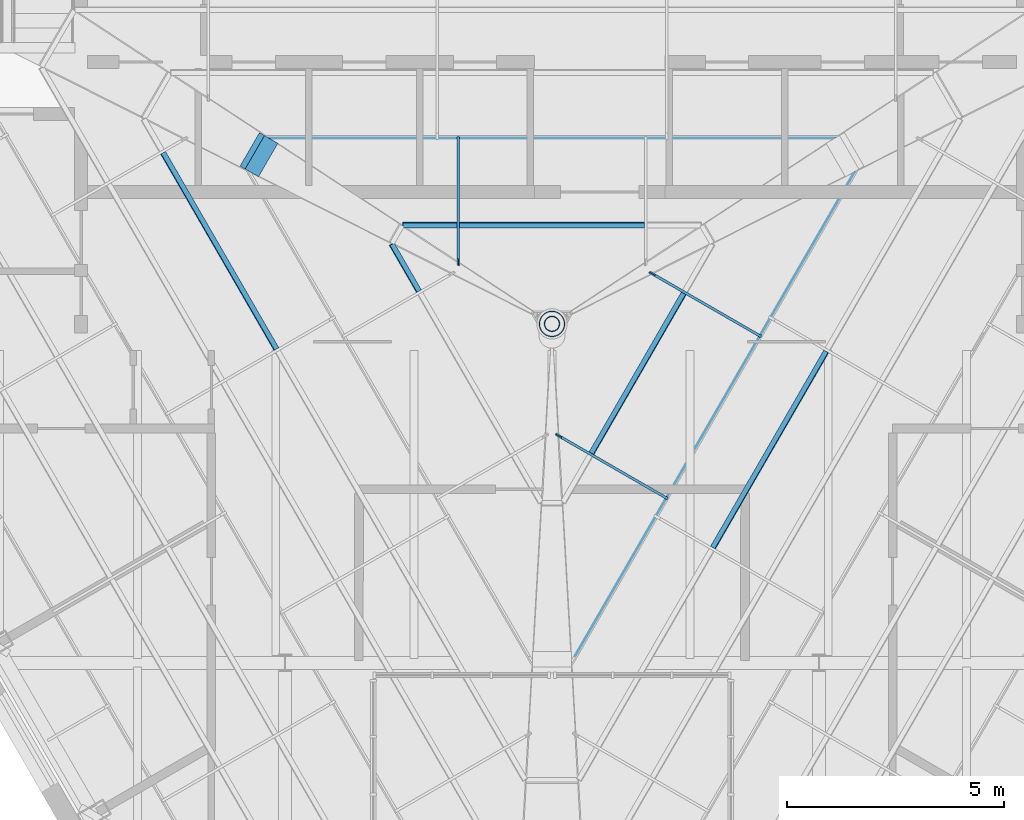
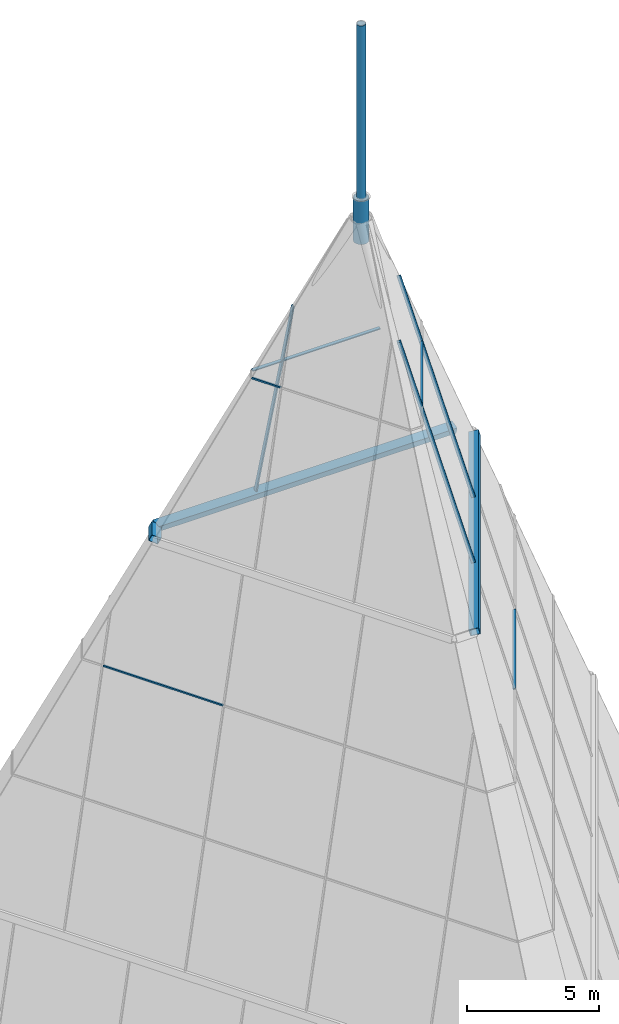
# One storey, part 19 of 36: 14 members, 7 elements without a shape of their own.
"""IFC4 building model written with IfcOpenShell, lengths in metres."""

from ifc_helpers import new_model, si_unit, direction, frame, origin, origin_2d, place, context, subcontext, project, spatial, rectangle, hollow_rectangle, hollow_circle, extrude, clip, halfspace, material, layer, layer_set, material_profile, profile_set, type_object, element, aggregate, save


model = new_model("IFC4")

# Units and contexts
model_context = context("Model", 3, precision=1e-05, world=origin(), true_north=direction((0.0, 1.0)))
body_context = subcontext(model_context, "Body", "Model", "MODEL_VIEW")
ifc_project = project(units=[si_unit("LENGTHUNIT", "METRE"), si_unit("AREAUNIT", "SQUARE_METRE"), si_unit("VOLUMEUNIT", "CUBIC_METRE"), si_unit("PLANEANGLEUNIT", "RADIAN"), si_unit("MASSUNIT", "GRAM", prefix="KILO")], contexts=[model_context])

# Site, building, storey
site_placement = place(None, origin())
site = spatial("IfcSite", under=ifc_project, at=site_placement, CompositionType="ELEMENT")
building_placement = place(site_placement, origin())
building = spatial("IfcBuilding", under=site, at=building_placement, Name="Njiva Tower", CompositionType="ELEMENT")
storey_placement = place(building_placement, frame((0.0, 0.0, 337.8)))
storey = spatial("IfcBuildingStorey", under=building, at=storey_placement, Name="L77", CompositionType="ELEMENT", Elevation=337.8)

# Curtain wall, member
ifc_material_1 = material(Name="Glazed curtain wall", Category="glass")
ifc_layer_1 = layer(ifc_material_1, 0.16)
ifc_layer_set_1 = layer_set([ifc_layer_1], Name="Glazed curtain wall")
curtain_wall_type_1 = type_object("IfcCurtainWallType", Name="CW2 Crown glazing, faceted point, long faces", PredefinedType="NOTDEFINED", material=ifc_layer_set_1)
curtain_wall_1_placement = place(storey_placement, origin())
curtain_wall_1 = element("IfcCurtainWall", 1, at=curtain_wall_1_placement, inside=storey, type_object=curtain_wall_type_1, Name="Crown glazing face N tier 4", PredefinedType="NOTDEFINED")
ifc_material_2 = material(Name="Aluminium mullion", Category="aluminium")
ifc_material_profile_1 = material_profile(ifc_material_2, rectangle(XDim=0.16, YDim=0.06, at=origin_2d()), Name="RECT 160x60")
ifc_profile_set_1 = profile_set([ifc_material_profile_1], Name="Aluminium mullion")
member_type_1 = type_object("IfcMemberType", Name="CW2-M Crown glazing mullion 160x60", PredefinedType="MULLION", material=ifc_profile_set_1)
member_1_placement = place(storey_placement, frame((-2.1563, 8.8561, 44.6446), z_axis=(0.0, -0.26643010552, 0.963854241508), x_axis=(0.0, 0.963854241508, 0.26643010552)))
member_1 = element("IfcMember", 2, at=member_1_placement, type_object=member_type_1, Name="CW2-14 mullion 2", PredefinedType="MULLION", context=body_context, shape_type="Clipping", body=[
    clip(clip(extrude(rectangle(XDim=0.16, YDim=0.06, at=origin_2d()), origin(), (0.0, 0.0, 1.0), 10.6208), halfspace(frame((0.08, 0.0, 0.0), z_axis=(-1.6824e-06, 0.0, -0.999999999999), x_axis=(0.0, -1.0, 0.0)), False)), halfspace(frame((0.08, 0.0, 10.6208), z_axis=(6.33082e-07, 0.926532402811, 0.376214973839), x_axis=(0.0, 0.37621497384, -0.926532402811)), False)),
])

# Curtain wall, members
curtain_wall_2_placement = place(storey_placement, origin())
curtain_wall_2 = element("IfcCurtainWall", 3, at=curtain_wall_2_placement, inside=storey, type_object=curtain_wall_type_1, Name="Crown glazing face SE tier 4", PredefinedType="NOTDEFINED")
member_2_placement = place(storey_placement, frame((2.5977, 0.6219, 44.6446), z_axis=(-0.230727175717, 0.133210695044, 0.963856774169), x_axis=(0.834723985154, -0.481929195754, 0.266420943037)))
member_2 = element("IfcMember", 4, at=member_2_placement, type_object=member_type_1, Name="CW2-54 mullion 1", PredefinedType="MULLION", context=body_context, shape_type="Clipping", body=[
    clip(clip(extrude(rectangle(XDim=0.16, YDim=0.06, at=origin_2d()), origin(), (0.0, 0.0, 1.0), 10.6208), halfspace(frame((0.08, 0.0, 0.0), z_axis=(7.823311e-06, 2.57894e-07, -0.999999999969), x_axis=(0.0, -1.0, -2.57894e-07)), False)), halfspace(frame((0.08, 0.0, 10.6208), z_axis=(-2.078321e-06, -0.926532499762, 0.376214735066), x_axis=(0.0, 0.376214735067, 0.926532499764)), False)),
])
member_3_placement = place(storey_placement, frame((4.754, 4.3567, 44.6446), z_axis=(-0.230736089967, 0.13321040565, 0.963854680236), x_axis=(0.834730687229, -0.481913399286, 0.266428518344)))
member_3 = element("IfcMember", 5, at=member_3_placement, type_object=member_type_1, Name="CW2-54 mullion 2", PredefinedType="MULLION", context=body_context, shape_type="Clipping", body=[
    clip(clip(extrude(rectangle(XDim=0.16, YDim=0.06, at=origin_2d()), origin(), (0.0, 0.0, 1.0), 10.6208), halfspace(frame((0.08, 0.0, 0.0), z_axis=(-3.6103e-08, -4.44986e-06, -0.99999999999), x_axis=(0.0, -0.99999999999, 4.44986e-06)), False)), halfspace(frame((0.08, 0.0, 10.6208), z_axis=(1.4927687e-05, 0.926534076595, 0.376210851367), x_axis=(0.0, 0.376210851409, -0.926534076698)), False)),
])

# Curtain wall, member
curtain_wall_3_placement = place(storey_placement, origin())
curtain_wall_3 = element("IfcCurtainWall", 6, at=curtain_wall_3_placement, inside=storey, type_object=curtain_wall_type_1, Name="Crown glazing face N tier 3", PredefinedType="NOTDEFINED")
ifc_material_3 = material(Name="Steel S355 J2H", Category="steel")
ifc_material_profile_2 = material_profile(ifc_material_3, hollow_rectangle(XDim=0.3, YDim=0.4, WallThickness=0.016, at=origin_2d()), Name="BOX 400x300x16")
ifc_profile_set_2 = profile_set([ifc_material_profile_2], Name="Steel S355 J2H")
member_type_2 = type_object("IfcMemberType", Name="CW2-R Crown glazing ring RHS 400x300x16", PredefinedType="USERDEFINED", material=ifc_profile_set_2)
member_4_placement = place(storey_placement, frame((6.5297, 8.896, 44.5), z_axis=(-1.0, 0.0, 0.0), x_axis=(0.0, -0.266428483965, 0.963854689739)))
member_4 = element("IfcMember", 7, at=member_4_placement, type_object=member_type_2, Name="Crown glazing ring", ObjectType="RING", PredefinedType="USERDEFINED", context=body_context, shape_type="SweptSolid", body=[
    extrude(hollow_rectangle(XDim=0.3, YDim=0.4, WallThickness=0.016, at=origin_2d()), origin(), (0.0, 0.0, 1.0), 13.0594),
])
aggregate(curtain_wall_3, [member_4])

curtain_wall_4_placement = place(storey_placement, origin())
curtain_wall_4 = element("IfcCurtainWall", 8, at=curtain_wall_4_placement, inside=storey, type_object=curtain_wall_type_1, Name="Crown glazing face SE tier 3", PredefinedType="NOTDEFINED")
member_5_placement = place(storey_placement, frame((0.4456, -3.1856, 44.5), z_axis=(0.500004819799, 0.866022621054, 0.0), x_axis=(-0.230733094007, 0.133215526114, 0.963854689739)))
member_5 = element("IfcMember", 9, at=member_5_placement, type_object=member_type_2, Name="Crown glazing ring", ObjectType="RING", PredefinedType="USERDEFINED", context=body_context, shape_type="SweptSolid", body=[
    extrude(hollow_rectangle(XDim=0.3, YDim=0.4, WallThickness=0.016, at=origin_2d()), origin(), (0.0, 0.0, 1.0), 13.0595),
])

# Member
ifc_material_4 = material(Name="Aluminium transom", Category="aluminium")
ifc_material_profile_3 = material_profile(ifc_material_4, rectangle(XDim=0.12, YDim=0.06, at=origin_2d()), Name="RECT 120x60")
ifc_profile_set_3 = profile_set([ifc_material_profile_3], Name="Aluminium transom")
member_type_3 = type_object("IfcMemberType", Name="CW2-T Crown glazing transom 120x60", PredefinedType="USERDEFINED", material=ifc_profile_set_3)
member_6_placement = place(storey_placement, frame((2.1263, 6.8913, 51.8276), z_axis=(-1.0, 0.0, 0.0), x_axis=(0.0, 0.963854689739, 0.266428483965)))
member_6 = element("IfcMember", 10, at=member_6_placement, type_object=member_type_3, Name="CW2-14 transom 2.1", ObjectType="TRANSOM", PredefinedType="USERDEFINED", context=body_context, shape_type="SweptSolid", body=[
    extrude(rectangle(XDim=0.12, YDim=0.06, at=origin_2d()), origin(), (0.0, 0.0, 1.0), 4.2526),
])

member_7_placement = place(storey_placement, frame((-2.1863, 6.8913, 51.8276), z_axis=(-1.0, 0.0, 0.0), x_axis=(0.0, 0.963854689739, 0.266428483965)))
member_7 = element("IfcMember", 11, at=member_7_placement, type_object=member_type_3, Name="CW2-14 transom 3.1", ObjectType="TRANSOM", PredefinedType="USERDEFINED", context=body_context, shape_type="Clipping", body=[
    clip(extrude(rectangle(XDim=0.12, YDim=0.06, at=origin_2d()), origin(), (0.0, 0.0, 1.0), 1.2588), halfspace(frame((0.06, 0.0, 1.2588), z_axis=(1.51e-10, -0.37621497384, 0.926532402811), x_axis=(0.0, 0.926532402811, 0.37621497384)), False)),
])

aggregate(curtain_wall_1, [member_1, member_6, member_7])

# Curtain wall, member
curtain_wall_5_placement = place(storey_placement, origin())
curtain_wall_5 = element("IfcCurtainWall", 12, at=curtain_wall_5_placement, inside=storey, type_object=curtain_wall_type_1, Name="Crown glazing face SW tier 3", PredefinedType="NOTDEFINED")
member_8_placement = place(storey_placement, frame((-8.9632, 8.5536, 39.1238), z_axis=(0.499997537949, -0.866026825245, 0.0), x_axis=(-0.834724016957, -0.481924971813, 0.266428483949)))
member_8 = element("IfcMember", 13, at=member_8_placement, type_object=member_type_3, Name="CW2-33 transom 2.2", ObjectType="TRANSOM", PredefinedType="USERDEFINED", context=body_context, shape_type="SweptSolid", body=[
    extrude(rectangle(XDim=0.12, YDim=0.06, at=origin_2d()), origin(), (0.0, 0.0, 1.0), 5.2236),
])
aggregate(curtain_wall_5, [member_8])

curtain_wall_6_placement = place(storey_placement, origin())
curtain_wall_6 = element("IfcCurtainWall", 14, at=curtain_wall_6_placement, inside=storey, type_object=curtain_wall_type_1, Name="Crown glazing face SW tier 4", PredefinedType="NOTDEFINED")
member_9_placement = place(storey_placement, frame((-3.6969, 6.4552, 51.8276), z_axis=(0.499983756713, -0.866034781647, 0.0), x_axis=(-0.834731685764, -0.481911688699, 0.266428483982)))
member_9 = element("IfcMember", 15, at=member_9_placement, type_object=member_type_3, Name="CW2-34 transom 1.1", ObjectType="TRANSOM", PredefinedType="USERDEFINED", context=body_context, shape_type="Clipping", body=[
    clip(extrude(rectangle(XDim=0.12, YDim=0.06, at=origin_2d()), origin(), (0.0, 0.0, 1.0), 1.2588), halfspace(frame((0.06, 0.0, 0.0001), z_axis=(1.6749442e-05, -0.376210344091, -0.926534282538), x_axis=(0.0, -0.926534282668, 0.376210344144)), False)),
])
aggregate(curtain_wall_6, [member_9])

# Member
member_10_placement = place(storey_placement, frame((3.7095, -0.546, 39.1238), z_axis=(0.500011895634, 0.866018535728, 0.0), x_axis=(0.834716027067, -0.481938810534, 0.266428483949)))
member_10 = element("IfcMember", 16, at=member_10_placement, type_object=member_type_3, Name="CW2-53 transom 3.2", ObjectType="TRANSOM", PredefinedType="USERDEFINED", context=body_context, shape_type="SweptSolid", body=[
    extrude(rectangle(XDim=0.12, YDim=0.06, at=origin_2d()), origin(), (0.0, 0.0, 1.0), 5.2237),
])

aggregate(curtain_wall_4, [member_10, member_5])

member_11_placement = place(storey_placement, frame((0.9112, 1.6303, 51.8276), z_axis=(0.500006071987, 0.866021898093, 0.0), x_axis=(0.834719267889, -0.481933197381, 0.266428483982)))
member_11 = element("IfcMember", 17, at=member_11_placement, type_object=member_type_3, Name="CW2-54 transom 2.1", ObjectType="TRANSOM", PredefinedType="USERDEFINED", context=body_context, shape_type="SweptSolid", body=[
    extrude(rectangle(XDim=0.12, YDim=0.06, at=origin_2d()), origin(), (0.0, 0.0, 1.0), 4.2525),
])

aggregate(curtain_wall_2, [member_2, member_3, member_11])

# Curtain wall, member
ifc_layer_2 = layer(ifc_material_1, 0.16)
ifc_layer_set_2 = layer_set([ifc_layer_2], Name="Glazed curtain wall")
curtain_wall_type_2 = type_object("IfcCurtainWallType", Name="CW3 Crown glazing, faceted point, corner faces", PredefinedType="NOTDEFINED", material=ifc_layer_set_2)
curtain_wall_7_placement = place(storey_placement, origin())
curtain_wall_7 = element("IfcCurtainWall", 18, at=curtain_wall_7_placement, inside=storey, type_object=curtain_wall_type_2, Name="Crown glazing face NW tier 3", PredefinedType="NOTDEFINED")
ifc_material_profile_4 = material_profile(ifc_material_3, hollow_rectangle(XDim=0.3, YDim=0.4, WallThickness=0.016, at=origin_2d()), Name="BOX 400x300x16")
ifc_profile_set_4 = profile_set([ifc_material_profile_4], Name="Steel S355 J2H")
member_type_4 = type_object("IfcMemberType", Name="CW3-R Crown corner glazing ring RHS 400x300x16", PredefinedType="USERDEFINED", material=ifc_profile_set_4)
member_12_placement = place(storey_placement, frame((-6.5297, 8.896, 44.5), z_axis=(-0.500085043104, -0.865976298558, 0.0), x_axis=(0.389158645978, -0.224731806831, 0.893337093856)))
member_12 = element("IfcMember", 19, at=member_12_placement, type_object=member_type_4, Name="Crown glazing ring", ObjectType="RING", PredefinedType="USERDEFINED", context=body_context, shape_type="SweptSolid", body=[
    extrude(hollow_rectangle(XDim=0.3, YDim=0.4, WallThickness=0.016, at=origin_2d()), origin(), (0.0, 0.0, 1.0), 0.8912),
])
aggregate(curtain_wall_7, [member_12])

# Members
ifc_material_profile_5 = material_profile(ifc_material_3, hollow_circle(Radius=0.1778, WallThickness=0.0125, at=origin_2d()), Name="CHS 355.6x12.5")
ifc_profile_set_5 = profile_set([ifc_material_profile_5], Name="Steel S355 J2H")
member_type_5 = type_object("IfcMemberType", Name="SP1 Spire CHS 356x12.5", PredefinedType="USERDEFINED", material=ifc_profile_set_5)
member_13_placement = place(storey_placement, frame((0.0, 4.6115, 60.0), z_axis=(0.0, 0.0, 1.0), x_axis=(1.0, 0.0, 0.0)))
element("IfcMember", 20, at=member_13_placement, inside=storey, type_object=member_type_5, Name="Spire", ObjectType="SPIRE", PredefinedType="USERDEFINED", context=body_context, shape_type="SweptSolid", body=[
    extrude(hollow_circle(Radius=0.1778, WallThickness=0.0125, at=origin_2d()), origin(), (0.0, 0.0, 1.0), 8.0),
])
ifc_material_profile_6 = material_profile(ifc_material_3, hollow_circle(Radius=0.3, WallThickness=0.02, at=origin_2d()), Name="CHS 600x20")
ifc_profile_set_6 = profile_set([ifc_material_profile_6], Name="Steel S355 J2H")
member_type_6 = type_object("IfcMemberType", Name="SP2 Spire base CHS 600x20", PredefinedType="USERDEFINED", material=ifc_profile_set_6)
member_14_placement = place(storey_placement, frame((0.0, 4.6115, 58.0), z_axis=(0.0, 0.0, 1.0), x_axis=(1.0, 0.0, 0.0)))
element("IfcMember", 21, at=member_14_placement, inside=storey, type_object=member_type_6, Name="Spire base", ObjectType="SPIRE", PredefinedType="USERDEFINED", context=body_context, shape_type="SweptSolid", body=[
    extrude(hollow_circle(Radius=0.3, WallThickness=0.02, at=origin_2d()), origin(), (0.0, 0.0, 1.0), 2.0),
])

save(model, "model.ifc")
